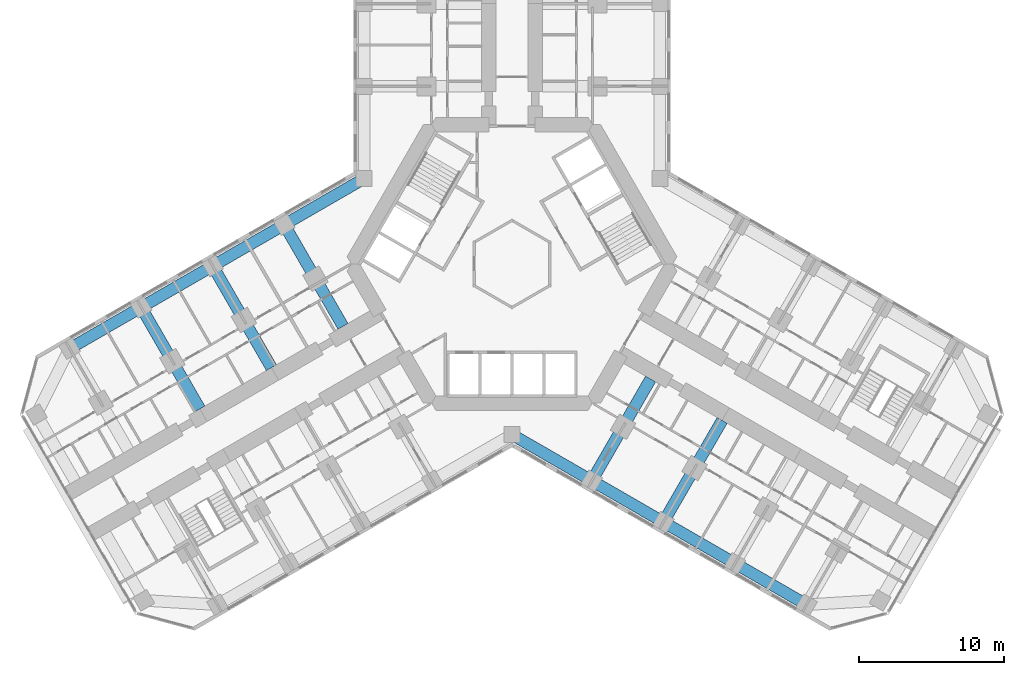
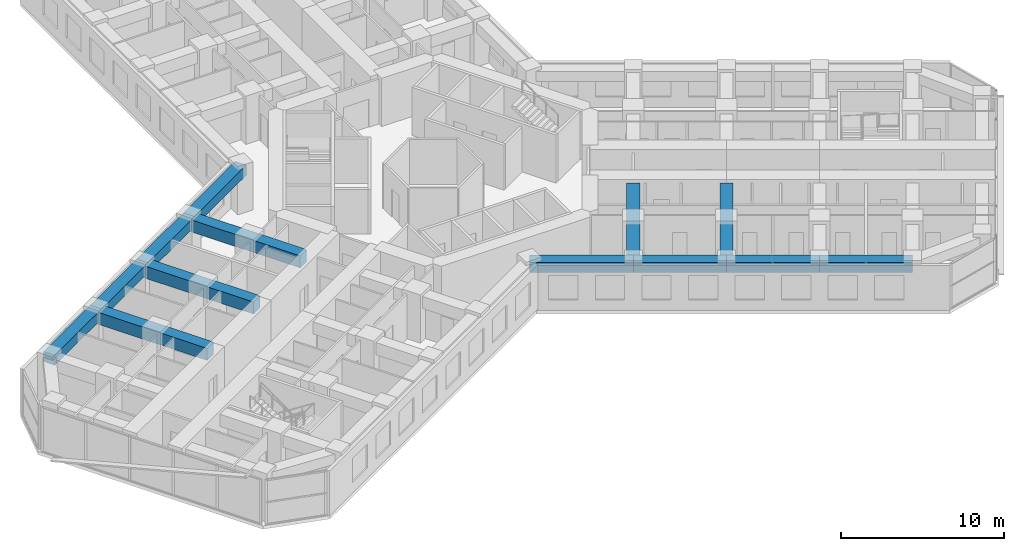
# One storey, part 4 of 21: 13 beams.
"""IFC4 building model written with IfcOpenShell, lengths in metres."""

from ifc_helpers import new_model, si_unit, direction, frame, origin, origin_2d, place, context, subcontext, project, spatial, rectangle, extrude, material, material_profile, profile_set, type_object, element, save


model = new_model("IFC4")

# Units and contexts
model_context = context("Model", 3, precision=1e-05, world=origin(), true_north=direction((0.0, 1.0)))
body_context = subcontext(model_context, "Body", "Model", "MODEL_VIEW")
ifc_project = project(units=[si_unit("LENGTHUNIT", "METRE"), si_unit("AREAUNIT", "SQUARE_METRE"), si_unit("VOLUMEUNIT", "CUBIC_METRE"), si_unit("PLANEANGLEUNIT", "RADIAN"), si_unit("MASSUNIT", "GRAM", prefix="KILO")], contexts=[model_context])

# Site, building, storey
site_placement = place(None, origin())
site = spatial("IfcSite", under=ifc_project, at=site_placement, CompositionType="ELEMENT")
building_placement = place(site_placement, origin())
building = spatial("IfcBuilding", under=site, at=building_placement, Name="Kosmar Iwan School Tower", CompositionType="ELEMENT")
storey_placement = place(building_placement, frame((0.0, 0.0, 39.39990234375)))
storey = spatial("IfcBuildingStorey", under=building, at=storey_placement, Name="L08", CompositionType="ELEMENT", Elevation=39.39990234375)

# Beams
ifc_material_1 = material(Name="Concrete C50/60", Category="concrete")
ifc_material_profile_1 = material_profile(ifc_material_1, rectangle(XDim=0.800048828125, YDim=0.75, at=origin_2d()), Name="RC 800x750")
ifc_profile_set_1 = profile_set([ifc_material_profile_1], Name="Concrete C50/60")
beam_type_1 = type_object("IfcBeamType", Name="RC edge beam 800x750", PredefinedType="BEAM", material=ifc_profile_set_1)
beam_1_placement = place(storey_placement, frame((-10.199951171875, 5.888916015625, 2.97509765625), z_axis=(-0.866030912664, -0.49999045822, 0.0), x_axis=(0.49999045822, -0.866030912664, 0.0)))
element("IfcBeam", 1, at=beam_1_placement, inside=storey, type_object=beam_type_1, Name="Edge beam BR1", PredefinedType="BEAM", context=body_context, shape_type="SweptSolid", body=[
    extrude(rectangle(XDim=0.800048828125, YDim=0.75, at=origin_2d()), origin(), (0.0, 0.0, 1.0), 6.36083984375),
])
beam_2_placement = place(storey_placement, frame((-15.708740234375, 2.70849609375, 2.97509765625), z_axis=(-0.866025820012, -0.499999279071, 0.0), x_axis=(0.499999279071, -0.866025820012, 0.0)))
element("IfcBeam", 2, at=beam_2_placement, inside=storey, type_object=beam_type_1, Name="Edge beam BR2", PredefinedType="BEAM", context=body_context, shape_type="SweptSolid", body=[
    extrude(rectangle(XDim=0.800048828125, YDim=0.75, at=origin_2d()), origin(), (0.0, 0.0, 1.0), 5.7001953125),
])
for number, where, z_axis, x_axis, name in (
    (3, (-20.645263671875, -0.1416015625, 2.97509765625), (-0.866033658841, -0.49998570155, 0.0), (0.49998570155, -0.866033658841, 0.0), "Edge beam BR3"),
    (4, (-25.58154296875, -2.991455078125, 2.97509765625), (-0.866015111908, -0.50001782563, 0.0), (0.50001782563, -0.866015111908, 0.0), "Edge beam BR4"),
):
    element("IfcBeam", number, at=place(storey_placement, frame(where, z_axis=z_axis, x_axis=x_axis)), inside=storey, type_object=beam_type_1, Name=name, PredefinedType="BEAM", context=body_context, shape_type="SweptSolid", body=[
        extrude(rectangle(XDim=0.800048828125, YDim=0.75, at=origin_2d()), origin(), (0.0, 0.0, 1.0), 5.699951171875),
    ])
beam_3_placement = place(storey_placement, frame((0.0, -11.77783203125, 2.97509765625), z_axis=(0.866014293216, -0.500019243575, 0.0), x_axis=(0.500019243575, 0.866014293216, 0.0)))
element("IfcBeam", 5, at=beam_3_placement, inside=storey, type_object=beam_type_1, Name="Edge beam CR1", PredefinedType="BEAM", context=body_context, shape_type="SweptSolid", body=[
    extrude(rectangle(XDim=0.800048828125, YDim=0.75, at=origin_2d()), origin(), (0.0, 0.0, 1.0), 6.361083984375),
])
beam_4_placement = place(storey_placement, frame((5.5087890625, -14.95849609375, 2.97509765625), z_axis=(0.866033658841, -0.49998570155, 0.0), x_axis=(0.49998570155, 0.866033658841, 0.0)))
element("IfcBeam", 6, at=beam_4_placement, inside=storey, type_object=beam_type_1, Name="Edge beam CR2", PredefinedType="BEAM", context=body_context, shape_type="SweptSolid", body=[
    extrude(rectangle(XDim=0.800048828125, YDim=0.75, at=origin_2d()), origin(), (0.0, 0.0, 1.0), 5.699951171875),
])
beam_5_placement = place(storey_placement, frame((10.445068359375, -17.808349609375, 2.97509765625), z_axis=(0.866025820012, -0.499999279071, 0.0), x_axis=(0.499999279071, 0.866025820012, 0.0)))
element("IfcBeam", 7, at=beam_5_placement, inside=storey, type_object=beam_type_1, Name="Edge beam CR3", PredefinedType="BEAM", context=body_context, shape_type="SweptSolid", body=[
    extrude(rectangle(XDim=0.800048828125, YDim=0.75, at=origin_2d()), origin(), (0.0, 0.0, 1.0), 5.7001953125),
])
beam_6_placement = place(storey_placement, frame((15.381591796875, -20.658447265625, 2.97509765625), z_axis=(0.866015111908, -0.50001782563, 0.0), x_axis=(0.50001782563, 0.866015111908, 0.0)))
element("IfcBeam", 8, at=beam_6_placement, inside=storey, type_object=beam_type_1, Name="Edge beam CR4", PredefinedType="BEAM", context=body_context, shape_type="SweptSolid", body=[
    extrude(rectangle(XDim=0.800048828125, YDim=0.75, at=origin_2d()), origin(), (0.0, 0.0, 1.0), 5.699951171875),
])
ifc_material_2 = material(Name="Concrete C50/60", Category="concrete")
ifc_material_profile_2 = material_profile(ifc_material_2, rectangle(XDim=0.800048828125, YDim=0.89990234375, at=origin_2d()), Name="RC 800x900")
ifc_profile_set_2 = profile_set([ifc_material_profile_2], Name="Concrete C50/60")
beam_type_2 = type_object("IfcBeamType", Name="RC transverse beam 800x900", PredefinedType="BEAM", material=ifc_profile_set_2)
beam_7_placement = place(storey_placement, frame((-15.708740234375, 2.70849609375, 2.900146484375), z_axis=(0.499999880539, -0.866025472755, 0.0), x_axis=(0.866025472755, 0.499999880539, 0.0)))
element("IfcBeam", 9, at=beam_7_placement, inside=storey, type_object=beam_type_2, Name="Transverse beam BR1", PredefinedType="BEAM", context=body_context, shape_type="SweptSolid", body=[
    extrude(rectangle(XDim=0.800048828125, YDim=0.89990234375, at=origin_2d()), origin(), (0.0, 0.0, 1.0), 8.10009765625),
])
beam_8_placement = place(storey_placement, frame((-20.645263671875, -0.1416015625, 2.900146484375), z_axis=(0.500012932018, -0.866017937352, 0.0), x_axis=(0.866017937352, 0.500012932018, 0.0)))
element("IfcBeam", 10, at=beam_8_placement, inside=storey, type_object=beam_type_2, Name="Transverse beam BR2", PredefinedType="BEAM", context=body_context, shape_type="SweptSolid", body=[
    extrude(rectangle(XDim=0.800048828125, YDim=0.89990234375, at=origin_2d()), origin(), (0.0, 0.0, 1.0), 8.099853515625),
])
for number, where, z_axis, x_axis, name in (
    (11, (-25.58154296875, -2.991455078125, 2.900146484375), (0.499999880539, -0.866025472755, 0.0), (0.866025472755, 0.499999880539, 0.0), "Transverse beam BR3"),
    (12, (5.5087890625, -14.95849609375, 2.900146484375), (0.499999880539, 0.866025472755, 0.0), (-0.866025472755, 0.499999880539, 0.0), "Transverse beam CR1"),
):
    element("IfcBeam", number, at=place(storey_placement, frame(where, z_axis=z_axis, x_axis=x_axis)), inside=storey, type_object=beam_type_2, Name=name, PredefinedType="BEAM", context=body_context, shape_type="SweptSolid", body=[
        extrude(rectangle(XDim=0.800048828125, YDim=0.89990234375, at=origin_2d()), origin(), (0.0, 0.0, 1.0), 8.10009765625),
    ])
beam_9_placement = place(storey_placement, frame((10.445068359375, -17.808349609375, 2.900146484375), z_axis=(0.500012932018, 0.866017937352, 0.0), x_axis=(-0.866017937352, 0.500012932018, 0.0)))
element("IfcBeam", 13, at=beam_9_placement, inside=storey, type_object=beam_type_2, Name="Transverse beam CR2", PredefinedType="BEAM", context=body_context, shape_type="SweptSolid", body=[
    extrude(rectangle(XDim=0.800048828125, YDim=0.89990234375, at=origin_2d()), origin(), (0.0, 0.0, 1.0), 8.099853515625),
])

save(model, "model.ifc")
